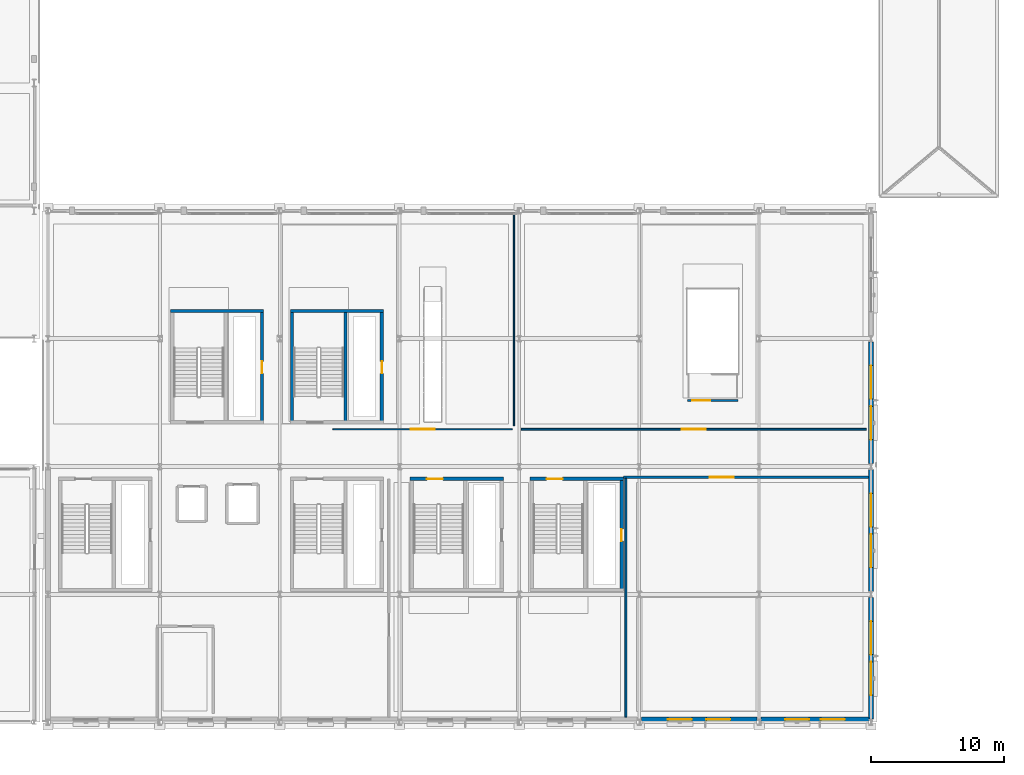
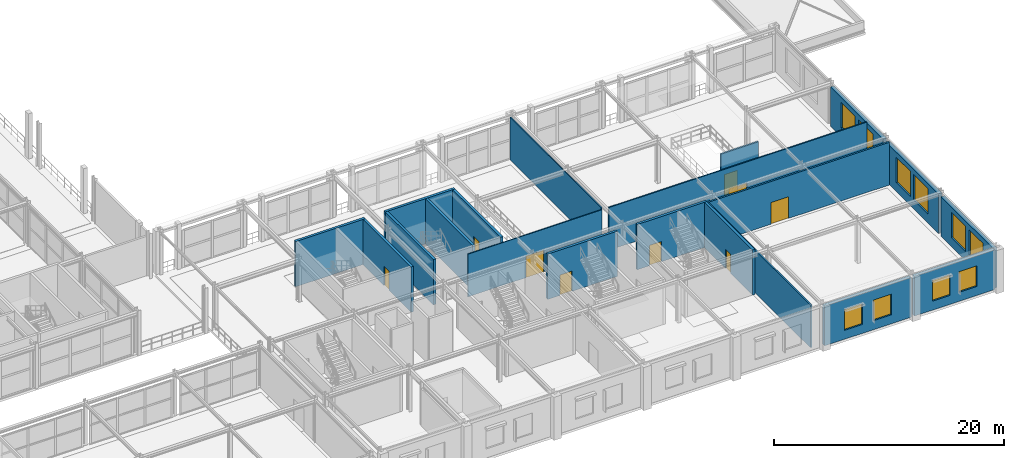
# One storey, part 79 of 125: 20 walls, 10 windows, 9 doors, 19 openings.
"""IFC4 building model written with IfcOpenShell, lengths in metres."""

import ifcopenshell
import ifcopenshell.guid

model = None  # the IFC model being written
_history = None  # IfcOwnerHistory: only IFC2X3 demands one
_inside = {}  # id of a spatial element -> (the spatial element, [elements in it])
_under = {}  # id of a project, library or spatial element -> (it, [spatial elements below it])
_declared = {}  # id of a project -> (the project, [libraries it declares])
_typed = {}  # id of a type object -> (the type object, [elements of that type])
_made_of = {}  # id of a material, layer set ... -> (it, [elements and type objects made of it])


def new_model(schema):
    """Start an empty IFC model of exactly this schema.

    Asked for "IFC4X3", IfcOpenShell would pick the latest addendum, in which some entities
    have other attributes; the version numbers below select the first issue.
    IFC2X3 requires an IfcOwnerHistory on every rooted entity: one is made here for all.
    """
    global model, _history
    if schema == "IFC4X3":
        model = ifcopenshell.file(schema_version=(4, 3, 0, 0))
    else:
        model = ifcopenshell.file(schema=schema)
    _inside.clear()
    _under.clear()
    _declared.clear()
    _typed.clear()
    _made_of.clear()
    _history = None
    if model.schema == "IFC2X3":
        org = make("IfcOrganization", Name="unknown")
        user = make(
            "IfcPersonAndOrganization",
            ThePerson=make("IfcPerson", FamilyName="unknown"),
            TheOrganization=org,
        )
        app = make(
            "IfcApplication",
            ApplicationDeveloper=org,
            Version="unknown",
            ApplicationFullName="unknown",
            ApplicationIdentifier="unknown",
        )
        _history = make(
            "IfcOwnerHistory",
            OwningUser=user,
            OwningApplication=app,
            ChangeAction="ADDED",
            CreationDate=0,
        )
    return model


def make(cls, **values):
    """One entity of the class cls with the attributes given. An attribute that is None is left unset."""
    return model.create_entity(
        cls, **{name: value for name, value in values.items() if value is not None}
    )


def rooted(cls, **values):
    """An entity with a GlobalId (a new one), such as an element, a storey or a relation."""
    return make(cls, GlobalId=ifcopenshell.guid.new(), OwnerHistory=_history, **values)


def si_unit(unit_type, name, prefix=None):
    """IfcSIUnit, for example si_unit("LENGTHUNIT", "METRE", prefix="MILLI")."""
    return make("IfcSIUnit", UnitType=unit_type, Prefix=prefix, Name=name)


def assignment(units):
    """IfcUnitAssignment: the units of a project."""
    return None if units is None else make("IfcUnitAssignment", Units=units)


def point(xyz):
    """IfcCartesianPoint."""
    return None if xyz is None else make("IfcCartesianPoint", Coordinates=xyz)


def direction(xyz):
    """IfcDirection."""
    return None if xyz is None else make("IfcDirection", DirectionRatios=xyz)


def frame(location, z_axis=None, x_axis=None):
    """IfcAxis2Placement3D, a coordinate frame: its origin and axes. An axis left out is left unset."""
    return make(
        "IfcAxis2Placement3D",
        Location=point(location),
        Axis=direction(z_axis),
        RefDirection=direction(x_axis),
    )


def frame_2d(location, x_axis=None):
    """IfcAxis2Placement2D, a coordinate frame in the plane: its origin and x axis."""
    return make(
        "IfcAxis2Placement2D", Location=point(location), RefDirection=direction(x_axis)
    )


def origin():
    """The frame at (0, 0, 0) with its axes left unset."""
    return frame((0.0, 0.0, 0.0))


def place(relative_to, where):
    """IfcLocalPlacement: puts the frame where relative to a parent placement (None: the world)."""
    return make(
        "IfcLocalPlacement", PlacementRelTo=relative_to, RelativePlacement=where
    )


def context(
    kind, dimensions, precision=None, world=None, true_north=None, identifier=None
):
    """IfcGeometricRepresentationContext, for example the 3D "Model" context."""
    return make(
        "IfcGeometricRepresentationContext",
        ContextIdentifier=identifier,
        ContextType=kind,
        CoordinateSpaceDimension=dimensions,
        Precision=precision,
        WorldCoordinateSystem=world,
        TrueNorth=true_north,
    )


def subcontext(parent, identifier, kind, view, scale=None):
    """IfcGeometricRepresentationSubContext, for example "Body" below "Model"."""
    return make(
        "IfcGeometricRepresentationSubContext",
        ContextIdentifier=identifier,
        ContextType=kind,
        ParentContext=parent,
        TargetScale=scale,
        TargetView=view,
    )


def project(units=None, contexts=None):
    """IfcProject with its units and contexts."""
    return rooted(
        "IfcProject",
        Name="project",
        RepresentationContexts=contexts,
        UnitsInContext=assignment(units),
    )


def spatial(cls, under=None, at=None, **own):
    """A site, building, storey or space (cls), placed at a placement, below another one or the project."""
    s = rooted(cls, ObjectPlacement=at, **own)
    if under is not None:
        _under.setdefault(under.id(), (under, []))[1].append(s)
    return s


def profile(cls, at=None, kind="AREA", **sizes):
    """A parametric profile (cls). Its sizes go by their IFC names, for example OverallWidth=200.0."""
    return make(cls, ProfileType=kind, Position=at, **sizes)


def rectangle(**sizes):
    """IfcRectangleProfileDef."""
    return profile("IfcRectangleProfileDef", **sizes)


def extrude(swept, where, along, depth):
    """IfcExtrudedAreaSolid: the profile swept, set in the frame where, extruded along a direction by depth."""
    return make(
        "IfcExtrudedAreaSolid",
        SweptArea=swept,
        Position=where,
        ExtrudedDirection=direction(along),
        Depth=depth,
    )


def shape(context_of_items, identifier, shape_type, items):
    """IfcShapeRepresentation: the items that make up one representation, for example the "Body"."""
    return make(
        "IfcShapeRepresentation",
        ContextOfItems=context_of_items,
        RepresentationIdentifier=identifier,
        RepresentationType=shape_type,
        Items=items,
    )


def material(Name=None, Category=None):
    """IfcMaterial."""
    return make("IfcMaterial", Name=Name, Category=Category)


def layer(
    of_material, thickness, ventilated=None, Name=None, Category=None, Priority=None
):
    """IfcMaterialLayer: one layer of a wall or slab, of a material (None: an air gap)."""
    return make(
        "IfcMaterialLayer",
        Material=of_material,
        LayerThickness=thickness,
        IsVentilated=ventilated,
        Name=Name,
        Category=Category,
        Priority=Priority,
    )


def layer_set(layers, Name=None):
    """IfcMaterialLayerSet."""
    return make("IfcMaterialLayerSet", MaterialLayers=layers, LayerSetName=Name)


def made_of(thing, what):
    """Note that an element or type object is made of a material, layer set ...; save() writes the relation."""
    if what is not None:
        _made_of.setdefault(what.id(), (what, []))[1].append(thing)
    return thing


def type_object(cls, material=None, **own):
    """A type object (cls), such as IfcWallType, which elements share."""
    return made_of(rooted(cls, **own), material)


def element(
    cls,
    number,
    at=None,
    inside=None,
    cuts=None,
    type_object=None,
    material=None,
    context=None,
    identifier="Body",
    shape_type=None,
    held_by="IfcProductDefinitionShape",
    body=None,
    shapes=None,
    **own,
):
    """One element of the class cls, such as IfcWall. Its Tag is "e" and its number.

    at: its placement. inside: the storey or other place that contains it. cuts: it is an
    opening in that element (IfcRelVoidsElement). A single representation is given by context,
    identifier, shape_type and body (its items); several are given by shapes. held_by: the class
    of the entity that holds the representations. save() writes the other relations.
    """
    e = rooted(cls, Tag="e%d" % number, ObjectPlacement=at, **own)
    if body is not None:
        shapes = [shape(context, identifier, shape_type, body)]
    if shapes is not None:
        e.Representation = make(held_by, Representations=shapes)
    if inside is not None:
        _inside.setdefault(inside.id(), (inside, []))[1].append(e)
    if cuts is not None:
        rooted(
            "IfcRelVoidsElement", RelatingBuildingElement=cuts, RelatedOpeningElement=e
        )
    if type_object is not None:
        _typed.setdefault(type_object.id(), (type_object, []))[1].append(e)
    return made_of(e, material)


def fill(opening, filler):
    """IfcRelFillsElement: the door or window that sits in an opening."""
    return rooted(
        "IfcRelFillsElement",
        RelatingOpeningElement=opening,
        RelatedBuildingElement=filler,
    )


def aggregate(whole, parts):
    """IfcRelAggregates: a whole, such as a stair, and the parts it consists of."""
    return rooted("IfcRelAggregates", RelatingObject=whole, RelatedObjects=parts)


def save(model, path):
    """Write the relations noted so far, then the file.

    IfcRelAggregates (storeys below a building ...), IfcRelContainedInSpatialStructure (elements
    in a storey), IfcRelDefinesByType, IfcRelAssociatesMaterial and IfcRelDeclares: one each for
    every whole, place, type object, material and project.
    """
    for whole, parts in _under.values():
        aggregate(whole, parts)
    for where, things in _inside.values():
        rooted(
            "IfcRelContainedInSpatialStructure",
            RelatedElements=things,
            RelatingStructure=where,
        )
    for kind, things in _typed.values():
        rooted("IfcRelDefinesByType", RelatedObjects=things, RelatingType=kind)
    for what, things in _made_of.values():
        rooted("IfcRelAssociatesMaterial", RelatedObjects=things, RelatingMaterial=what)
    for by, libraries in _declared.values():
        rooted("IfcRelDeclares", RelatingContext=by, RelatedDefinitions=libraries)
    model.write(path)


model = new_model("IFC4")

# Units and contexts
model_context = context("Model", 3, precision=1e-05, world=origin(), true_north=direction((0.0, 1.0)))
body_context = subcontext(model_context, "Body", "Model", "MODEL_VIEW")
ifc_project = project(units=[si_unit("LENGTHUNIT", "METRE"), si_unit("AREAUNIT", "SQUARE_METRE"), si_unit("VOLUMEUNIT", "CUBIC_METRE"), si_unit("PLANEANGLEUNIT", "RADIAN"), si_unit("MASSUNIT", "GRAM", prefix="KILO")], contexts=[model_context])

# Site, building, storey
site_placement = place(None, origin())
site = spatial("IfcSite", under=ifc_project, at=site_placement, CompositionType="ELEMENT")
building_placement = place(site_placement, origin())
building = spatial("IfcBuilding", under=site, at=building_placement, Name="Myrtia Square Station", CompositionType="ELEMENT")
storey_placement = place(building_placement, frame((0.0, 0.0, 6.0)))
storey = spatial("IfcBuildingStorey", under=building, at=storey_placement, Name="L01", CompositionType="ELEMENT", Elevation=6.0)

# Walls
ifc_material_1 = material(Name="Concrete C35/45", Category="concrete")
ifc_layer_1 = layer(ifc_material_1, 0.25, Name="Concrete C35/45")
ifc_layer_set_1 = layer_set([ifc_layer_1], Name="Concrete C35/45")
wall_type_1 = type_object("IfcWallType", Name="WL-CORE-250", PredefinedType="SHEAR", material=ifc_layer_set_1)
wall_1_placement = place(storey_placement, frame((135.800048828125, 30.875, 0.0), z_axis=(0.0, 0.0, 1.0), x_axis=(1.0, 0.0, 0.0)))
element("IfcWall", 1, at=wall_1_placement, inside=storey, type_object=wall_type_1, Name="Core K9 shear wall L01 N", PredefinedType="SHEAR", context=body_context, shape_type="SweptSolid", body=[
    extrude(rectangle(XDim=7.0, YDim=0.25, at=frame_2d((3.5, 0.0))), origin(), (0.0, 0.0, 1.0), 4.800048828125),
])
wall_2_placement = place(storey_placement, frame((135.925048828125, 22.39990234375, 0.0), z_axis=(0.0, 0.0, 1.0), x_axis=(0.0, 1.0, 0.0)))
element("IfcWall", 2, at=wall_2_placement, inside=storey, type_object=wall_type_1, Name="Core K9 shear wall L01 W", PredefinedType="SHEAR", context=body_context, shape_type="SweptSolid", body=[
    extrude(rectangle(XDim=8.60009765625, YDim=0.25, at=frame_2d((4.300048828125, 0.0))), origin(), (0.0, 0.0, 1.0), 4.800048828125),
])

# Wall, opening, door
wall_3_placement = place(storey_placement, frame((142.675048828125, 22.39990234375, 0.0), z_axis=(0.0, 0.0, 1.0), x_axis=(0.0, 1.0, 0.0)))
wall_3 = element("IfcWall", 3, at=wall_3_placement, inside=storey, type_object=wall_type_1, Name="Core K9 shear wall L01 E", PredefinedType="SHEAR", context=body_context, shape_type="SweptSolid", body=[
    extrude(rectangle(XDim=8.60009765625, YDim=0.25, at=frame_2d((4.300048828125, 0.0))), origin(), (0.0, 0.0, 1.0), 4.800048828125),
])
opening_1_placement = place(wall_3_placement, frame((3.800048828125, 0.0, 0.0)))
opening_1 = element("IfcOpeningElement", 4, at=opening_1_placement, cuts=wall_3, Name="Opening RD-076", PredefinedType="OPENING", context=body_context, shape_type="SweptSolid", body=[
    extrude(rectangle(XDim=0.89990234375, YDim=2.050048828125, at=frame_2d((0.449951171875, 1.02490234375))), frame((0.0, 0.139892578125, 0.0), z_axis=(0.0, -1.0, 0.0), x_axis=(1.0, 0.0, 0.0)), (0.0, 0.0, 1.0), 0.280029296875),
])
ifc_material_2 = material(Name="Dark bronze anodised aluminium", Category="aluminium")
door_type_1 = type_object("IfcDoorType", Name="DR-RISER-900x2050", OperationType="NOTDEFINED", PredefinedType="DOOR", material=ifc_material_2)
door_1_placement = place(opening_1_placement, origin())
door_1 = element("IfcDoor", 5, at=door_1_placement, inside=storey, type_object=door_type_1, Name="Riser cupboard access door K9 L01", OperationType="SINGLE_SWING_RIGHT", OverallHeight=2.050048828125, OverallWidth=0.89990234375, PredefinedType="DOOR", context=body_context, shape_type="SweptSolid", body=[
    extrude(rectangle(XDim=0.89990234375, YDim=2.050048828125, at=frame_2d((0.449951171875, 1.02490234375))), frame((0.0, 0.02490234375, 0.0), z_axis=(0.0, -1.0, 0.0), x_axis=(1.0, 0.0, 0.0)), (0.0, 0.0, 1.0), 0.050048828125),
])
fill(opening_1, door_1)

# Walls
wall_4_placement = place(storey_placement, frame((139.93994140625, 22.60009765625, 0.0), z_axis=(0.0, 0.0, 1.0), x_axis=(0.0, 1.0, 0.0)))
element("IfcWall", 6, at=wall_4_placement, inside=storey, type_object=wall_type_1, Name="Core K9 shear wall L01 D", PredefinedType="SHEAR", context=body_context, shape_type="SweptSolid", body=[
    extrude(rectangle(XDim=8.199951171875, YDim=0.25, at=frame_2d((4.10009765625, 0.0))), origin(), (0.0, 0.0, 1.0), 4.800048828125),
])
wall_5_placement = place(storey_placement, frame((126.800048828125, 30.875, 0.0), z_axis=(0.0, 0.0, 1.0), x_axis=(1.0, 0.0, 0.0)))
element("IfcWall", 7, at=wall_5_placement, inside=storey, type_object=wall_type_1, Name="Core K10 shear wall L01 N", PredefinedType="SHEAR", context=body_context, shape_type="SweptSolid", body=[
    extrude(rectangle(XDim=7.0, YDim=0.25, at=frame_2d((3.5, 0.0))), origin(), (0.0, 0.0, 1.0), 4.800048828125),
])

# Wall, opening, door
wall_6_placement = place(storey_placement, frame((133.675048828125, 22.39990234375, 0.0), z_axis=(0.0, 0.0, 1.0), x_axis=(0.0, 1.0, 0.0)))
wall_6 = element("IfcWall", 8, at=wall_6_placement, inside=storey, type_object=wall_type_1, Name="Core K10 shear wall L01 E", PredefinedType="SHEAR", context=body_context, shape_type="SweptSolid", body=[
    extrude(rectangle(XDim=8.60009765625, YDim=0.25, at=frame_2d((4.300048828125, 0.0))), origin(), (0.0, 0.0, 1.0), 4.800048828125),
])
opening_2_placement = place(wall_6_placement, frame((3.800048828125, 0.0, 0.0)))
opening_2 = element("IfcOpeningElement", 9, at=opening_2_placement, cuts=wall_6, Name="Opening RD-086", PredefinedType="OPENING", context=body_context, shape_type="SweptSolid", body=[
    extrude(rectangle(XDim=0.89990234375, YDim=2.050048828125, at=frame_2d((0.449951171875, 1.02490234375))), frame((0.0, 0.139892578125, 0.0), z_axis=(0.0, -1.0, 0.0), x_axis=(1.0, 0.0, 0.0)), (0.0, 0.0, 1.0), 0.280029296875),
])
door_2_placement = place(opening_2_placement, origin())
door_2 = element("IfcDoor", 10, at=door_2_placement, inside=storey, type_object=door_type_1, Name="Riser cupboard access door K10 L01", OperationType="SINGLE_SWING_RIGHT", OverallHeight=2.050048828125, OverallWidth=0.89990234375, PredefinedType="DOOR", context=body_context, shape_type="SweptSolid", body=[
    extrude(rectangle(XDim=0.89990234375, YDim=2.050048828125, at=frame_2d((0.449951171875, 1.02490234375))), frame((0.0, 0.02490234375, 0.0), z_axis=(0.0, -1.0, 0.0), x_axis=(1.0, 0.0, 0.0)), (0.0, 0.0, 1.0), 0.050048828125),
])
fill(opening_2, door_2)

wall_7_placement = place(storey_placement, frame((144.800048828125, 18.27490234375, 0.0), z_axis=(0.0, 0.0, 1.0), x_axis=(1.0, 0.0, 0.0)))
wall_7 = element("IfcWall", 11, at=wall_7_placement, inside=storey, type_object=wall_type_1, Name="Core K11 shear wall L01 N", PredefinedType="SHEAR", context=body_context, shape_type="SweptSolid", body=[
    extrude(rectangle(XDim=7.0, YDim=0.25, at=frame_2d((3.5, 0.0))), origin(), (0.0, 0.0, 1.0), 4.800048828125),
])
opening_3_placement = place(wall_7_placement, frame((1.25, 0.0, 0.0)))
opening_3 = element("IfcOpeningElement", 12, at=opening_3_placement, cuts=wall_7, Name="Opening SD-095", PredefinedType="OPENING", context=body_context, shape_type="SweptSolid", body=[
    extrude(rectangle(XDim=1.199951171875, YDim=2.14990234375, at=frame_2d((0.60009765625, 1.074951171875))), frame((0.0, 0.139892578125, 0.0), z_axis=(0.0, -1.0, 0.0), x_axis=(1.0, 0.0, 0.0)), (0.0, 0.0, 1.0), 0.280029296875),
])
door_type_2 = type_object("IfcDoorType", Name="DR-STAIR-1200x2150", OperationType="NOTDEFINED", PredefinedType="DOOR", material=ifc_material_2)
door_3_placement = place(opening_3_placement, frame((1.199951171875, 0.0, 0.0), z_axis=(0.0, 0.0, 1.0), x_axis=(-1.0, 0.0, 0.0)))
door_3 = element("IfcDoor", 13, at=door_3_placement, inside=storey, type_object=door_type_2, Name="Protected stair fire door K11 L01", OperationType="SINGLE_SWING_LEFT", OverallHeight=2.14990234375, OverallWidth=1.199951171875, PredefinedType="DOOR", context=body_context, shape_type="SweptSolid", body=[
    extrude(rectangle(XDim=1.199951171875, YDim=2.14990234375, at=frame_2d((0.60009765625, 1.074951171875))), frame((0.0, 0.02490234375, 0.0), z_axis=(0.0, -1.0, 0.0), x_axis=(1.0, 0.0, 0.0)), (0.0, 0.0, 1.0), 0.050048828125),
])
fill(opening_3, door_3)

wall_8_placement = place(storey_placement, frame((153.800048828125, 18.27490234375, 0.0), z_axis=(0.0, 0.0, 1.0), x_axis=(1.0, 0.0, 0.0)))
wall_8 = element("IfcWall", 14, at=wall_8_placement, inside=storey, type_object=wall_type_1, Name="Core K14 shear wall L01 N", PredefinedType="SHEAR", context=body_context, shape_type="SweptSolid", body=[
    extrude(rectangle(XDim=7.0, YDim=0.25, at=frame_2d((3.5, 0.0))), origin(), (0.0, 0.0, 1.0), 4.800048828125),
])
opening_4_placement = place(wall_8_placement, frame((1.25, 0.0, 0.0)))
opening_4 = element("IfcOpeningElement", 15, at=opening_4_placement, cuts=wall_8, Name="Opening SD-103", PredefinedType="OPENING", context=body_context, shape_type="SweptSolid", body=[
    extrude(rectangle(XDim=1.199951171875, YDim=2.14990234375, at=frame_2d((0.60009765625, 1.074951171875))), frame((0.0, 0.139892578125, 0.0), z_axis=(0.0, -1.0, 0.0), x_axis=(1.0, 0.0, 0.0)), (0.0, 0.0, 1.0), 0.280029296875),
])
door_4_placement = place(opening_4_placement, frame((1.199951171875, 0.0, 0.0), z_axis=(0.0, 0.0, 1.0), x_axis=(-1.0, 0.0, 0.0)))
door_4 = element("IfcDoor", 16, at=door_4_placement, inside=storey, type_object=door_type_2, Name="Protected stair fire door K14 L01", OperationType="SINGLE_SWING_LEFT", OverallHeight=2.14990234375, OverallWidth=1.199951171875, PredefinedType="DOOR", context=body_context, shape_type="SweptSolid", body=[
    extrude(rectangle(XDim=1.199951171875, YDim=2.14990234375, at=frame_2d((0.60009765625, 1.074951171875))), frame((0.0, 0.02490234375, 0.0), z_axis=(0.0, -1.0, 0.0), x_axis=(1.0, 0.0, 0.0)), (0.0, 0.0, 1.0), 0.050048828125),
])
fill(opening_4, door_4)

wall_9_placement = place(storey_placement, frame((160.675048828125, 9.800048828125, 0.0), z_axis=(0.0, 0.0, 1.0), x_axis=(0.0, 1.0, 0.0)))
wall_9 = element("IfcWall", 17, at=wall_9_placement, inside=storey, type_object=wall_type_1, Name="Core K14 shear wall L01 E", PredefinedType="SHEAR", context=body_context, shape_type="SweptSolid", body=[
    extrude(rectangle(XDim=8.599853515625, YDim=0.25, at=frame_2d((4.2998046875, 0.0))), origin(), (0.0, 0.0, 1.0), 4.800048828125),
])
opening_5_placement = place(wall_9_placement, frame((3.800048828125, 0.0, 0.0)))
opening_5 = element("IfcOpeningElement", 18, at=opening_5_placement, cuts=wall_9, Name="Opening RD-104", PredefinedType="OPENING", context=body_context, shape_type="SweptSolid", body=[
    extrude(rectangle(XDim=0.89990234375, YDim=2.050048828125, at=frame_2d((0.449951171875, 1.02490234375))), frame((0.0, 0.139892578125, 0.0), z_axis=(0.0, -1.0, 0.0), x_axis=(1.0, 0.0, 0.0)), (0.0, 0.0, 1.0), 0.280029296875),
])
door_5_placement = place(opening_5_placement, origin())
door_5 = element("IfcDoor", 19, at=door_5_placement, inside=storey, type_object=door_type_1, Name="Riser cupboard access door K14 L01", OperationType="SINGLE_SWING_RIGHT", OverallHeight=2.050048828125, OverallWidth=0.89990234375, PredefinedType="DOOR", context=body_context, shape_type="SweptSolid", body=[
    extrude(rectangle(XDim=0.89990234375, YDim=2.050048828125, at=frame_2d((0.449951171875, 1.02490234375))), frame((0.0, 0.02490234375, 0.0), z_axis=(0.0, -1.0, 0.0), x_axis=(1.0, 0.0, 0.0)), (0.0, 0.0, 1.0), 0.050048828125),
])
fill(opening_5, door_5)

# Wall, openings, windows
ifc_material_3 = material(Name="Cream lime stucco on clay brick masonry", Category="masonry")
ifc_layer_2 = layer(ifc_material_3, 0.360107421875, Name="Cream lime stucco on clay brick masonry")
ifc_layer_set_2 = layer_set([ifc_layer_2], Name="Cream lime stucco on clay brick masonry")
wall_type_2 = type_object("IfcWallType", Name="WL-EXT-STUCCO-360", PredefinedType="SOLIDWALL", material=ifc_layer_set_2)
wall_10_placement = place(storey_placement, frame((162.155029296875, 0.199951171875, 0.0), z_axis=(0.0, 0.0, 1.0), x_axis=(1.0, 0.0, 0.0)))
wall_10 = element("IfcWall", 20, at=wall_10_placement, inside=storey, type_object=wall_type_2, Name="Exterior envelope wall EW-L01-0052", PredefinedType="SOLIDWALL", context=body_context, shape_type="SweptSolid", body=[
    extrude(rectangle(XDim=8.68994140625, YDim=0.360107421875, at=frame_2d((4.344970703125, 0.0))), origin(), (0.0, 0.0, 1.0), 4.215087890625),
])
opening_6_placement = place(wall_10_placement, frame((1.9970703125, 0.0, 0.949951171875)))
opening_6 = element("IfcOpeningElement", 21, at=opening_6_placement, cuts=wall_10, Name="Opening WN-045", PredefinedType="OPENING", context=body_context, shape_type="SweptSolid", body=[
    extrude(rectangle(XDim=1.800048828125, YDim=2.199951171875, at=frame_2d((0.89990234375, 1.10009765625))), frame((0.0, 0.195068359375, 0.0), z_axis=(0.0, -1.0, 0.0), x_axis=(1.0, 0.0, 0.0)), (0.0, 0.0, 1.0), 0.39013671875),
])
opening_7_placement = place(wall_10_placement, frame((4.89306640625, 0.0, 0.949951171875)))
opening_7 = element("IfcOpeningElement", 22, at=opening_7_placement, cuts=wall_10, Name="Opening WN-046", PredefinedType="OPENING", context=body_context, shape_type="SweptSolid", body=[
    extrude(rectangle(XDim=1.800048828125, YDim=2.199951171875, at=frame_2d((0.89990234375, 1.10009765625))), frame((0.0, 0.195068359375, 0.0), z_axis=(0.0, -1.0, 0.0), x_axis=(1.0, 0.0, 0.0)), (0.0, 0.0, 1.0), 0.39013671875),
])
ifc_material_4 = material(Name="Tinted low-E solar control glass", Category="glass")
window_type_1 = type_object("IfcWindowType", Name="WN-PAIR-1800x2200", PartitioningType="SINGLE_PANEL", PredefinedType="WINDOW", material=ifc_material_4)
window_1_placement = place(opening_6_placement, origin())
window_1 = element("IfcWindow", 23, at=window_1_placement, inside=storey, type_object=window_type_1, Name="Window WN-045", OverallHeight=2.199951171875, OverallWidth=1.800048828125, PartitioningType="SINGLE_PANEL", PredefinedType="WINDOW", context=body_context, shape_type="SweptSolid", body=[
    extrude(rectangle(XDim=1.800048828125, YDim=2.199951171875, at=frame_2d((0.89990234375, 1.10009765625))), frame((0.0, 0.030029296875, 0.0), z_axis=(0.0, -1.0, 0.0), x_axis=(1.0, 0.0, 0.0)), (0.0, 0.0, 1.0), 0.06005859375),
])
fill(opening_6, window_1)
window_2_placement = place(opening_7_placement, origin())
window_2 = element("IfcWindow", 24, at=window_2_placement, inside=storey, type_object=window_type_1, Name="Window WN-046", OverallHeight=2.199951171875, OverallWidth=1.800048828125, PartitioningType="SINGLE_PANEL", PredefinedType="WINDOW", context=body_context, shape_type="SweptSolid", body=[
    extrude(rectangle(XDim=1.800048828125, YDim=2.199951171875, at=frame_2d((0.89990234375, 1.10009765625))), frame((0.0, 0.030029296875, 0.0), z_axis=(0.0, -1.0, 0.0), x_axis=(1.0, 0.0, 0.0)), (0.0, 0.0, 1.0), 0.06005859375),
])
fill(opening_7, window_2)

wall_11_placement = place(storey_placement, frame((171.155029296875, 0.199951171875, 0.0), z_axis=(0.0, 0.0, 1.0), x_axis=(1.0, 0.0, 0.0)))
wall_11 = element("IfcWall", 25, at=wall_11_placement, inside=storey, type_object=wall_type_2, Name="Exterior envelope wall EW-L01-0053", PredefinedType="SOLIDWALL", context=body_context, shape_type="SweptSolid", body=[
    extrude(rectangle(XDim=8.090087890625, YDim=0.360107421875, at=frame_2d((4.044921875, 0.0))), origin(), (0.0, 0.0, 1.0), 4.215087890625),
])
opening_8_placement = place(wall_11_placement, frame((1.797119140625, 0.0, 0.949951171875)))
opening_8 = element("IfcOpeningElement", 26, at=opening_8_placement, cuts=wall_11, Name="Opening WN-047", PredefinedType="OPENING", context=body_context, shape_type="SweptSolid", body=[
    extrude(rectangle(XDim=1.800048828125, YDim=2.199951171875, at=frame_2d((0.89990234375, 1.10009765625))), frame((0.0, 0.195068359375, 0.0), z_axis=(0.0, -1.0, 0.0), x_axis=(1.0, 0.0, 0.0)), (0.0, 0.0, 1.0), 0.39013671875),
])
opening_9_placement = place(wall_11_placement, frame((4.492919921875, 0.0, 0.949951171875)))
opening_9 = element("IfcOpeningElement", 27, at=opening_9_placement, cuts=wall_11, Name="Opening WN-048", PredefinedType="OPENING", context=body_context, shape_type="SweptSolid", body=[
    extrude(rectangle(XDim=1.800048828125, YDim=2.199951171875, at=frame_2d((0.89990234375, 1.10009765625))), frame((0.0, 0.195068359375, 0.0), z_axis=(0.0, -1.0, 0.0), x_axis=(1.0, 0.0, 0.0)), (0.0, 0.0, 1.0), 0.39013671875),
])
window_3_placement = place(opening_8_placement, origin())
window_3 = element("IfcWindow", 28, at=window_3_placement, inside=storey, type_object=window_type_1, Name="Window WN-047", OverallHeight=2.199951171875, OverallWidth=1.800048828125, PartitioningType="SINGLE_PANEL", PredefinedType="WINDOW", context=body_context, shape_type="SweptSolid", body=[
    extrude(rectangle(XDim=1.800048828125, YDim=2.199951171875, at=frame_2d((0.89990234375, 1.10009765625))), frame((0.0, 0.030029296875, 0.0), z_axis=(0.0, -1.0, 0.0), x_axis=(1.0, 0.0, 0.0)), (0.0, 0.0, 1.0), 0.06005859375),
])
fill(opening_8, window_3)
window_4_placement = place(opening_9_placement, origin())
window_4 = element("IfcWindow", 29, at=window_4_placement, inside=storey, type_object=window_type_1, Name="Window WN-048", OverallHeight=2.199951171875, OverallWidth=1.800048828125, PartitioningType="SINGLE_PANEL", PredefinedType="WINDOW", context=body_context, shape_type="SweptSolid", body=[
    extrude(rectangle(XDim=1.800048828125, YDim=2.199951171875, at=frame_2d((0.89990234375, 1.10009765625))), frame((0.0, 0.030029296875, 0.0), z_axis=(0.0, -1.0, 0.0), x_axis=(1.0, 0.0, 0.0)), (0.0, 0.0, 1.0), 0.06005859375),
])
fill(opening_9, window_4)

wall_12_placement = place(storey_placement, frame((179.39990234375, 0.22998046875, 0.0), z_axis=(0.0, 0.0, 1.0), x_axis=(0.0, 1.0, 0.0)))
wall_12 = element("IfcWall", 30, at=wall_12_placement, inside=storey, type_object=wall_type_2, Name="Exterior envelope wall EW-L01-0063", PredefinedType="SOLIDWALL", context=body_context, shape_type="SweptSolid", body=[
    extrude(rectangle(XDim=9.14013671875, YDim=0.360107421875, at=frame_2d((4.570068359375, 0.0))), origin(), (0.0, 0.0, 1.0), 4.18505859375),
])
opening_10_placement = place(wall_12_placement, frame((1.797119140625, 0.0, 0.949951171875)))
opening_10 = element("IfcOpeningElement", 31, at=opening_10_placement, cuts=wall_12, Name="Opening WN-065", PredefinedType="OPENING", context=body_context, shape_type="SweptSolid", body=[
    extrude(rectangle(XDim=2.5, YDim=2.699951171875, at=frame_2d((1.25, 1.35009765625))), frame((0.0, 0.195068359375, 0.0), z_axis=(0.0, -1.0, 0.0), x_axis=(1.0, 0.0, 0.0)), (0.0, 0.0, 1.0), 0.39013671875),
])
opening_11_placement = place(wall_12_placement, frame((4.843017578125, 0.0, 0.949951171875)))
opening_11 = element("IfcOpeningElement", 32, at=opening_11_placement, cuts=wall_12, Name="Opening WN-066", PredefinedType="OPENING", context=body_context, shape_type="SweptSolid", body=[
    extrude(rectangle(XDim=2.5, YDim=2.699951171875, at=frame_2d((1.25, 1.35009765625))), frame((0.0, 0.195068359375, 0.0), z_axis=(0.0, -1.0, 0.0), x_axis=(1.0, 0.0, 0.0)), (0.0, 0.0, 1.0), 0.39013671875),
])
window_type_2 = type_object("IfcWindowType", Name="WN-RET-2500x2700", PartitioningType="SINGLE_PANEL", PredefinedType="WINDOW", material=ifc_material_4)
window_5_placement = place(opening_10_placement, origin())
window_5 = element("IfcWindow", 33, at=window_5_placement, inside=storey, type_object=window_type_2, Name="Window WN-065", OverallHeight=2.699951171875, OverallWidth=2.5, PartitioningType="SINGLE_PANEL", PredefinedType="WINDOW", context=body_context, shape_type="SweptSolid", body=[
    extrude(rectangle(XDim=2.5, YDim=2.699951171875, at=frame_2d((1.25, 1.35009765625))), frame((0.0, 0.030029296875, 0.0), z_axis=(0.0, -1.0, 0.0), x_axis=(1.0, 0.0, 0.0)), (0.0, 0.0, 1.0), 0.06005859375),
])
fill(opening_10, window_5)
window_6_placement = place(opening_11_placement, origin())
window_6 = element("IfcWindow", 34, at=window_6_placement, inside=storey, type_object=window_type_2, Name="Window WN-066", OverallHeight=2.699951171875, OverallWidth=2.5, PartitioningType="SINGLE_PANEL", PredefinedType="WINDOW", context=body_context, shape_type="SweptSolid", body=[
    extrude(rectangle(XDim=2.5, YDim=2.699951171875, at=frame_2d((1.25, 1.35009765625))), frame((0.0, 0.030029296875, 0.0), z_axis=(0.0, -1.0, 0.0), x_axis=(1.0, 0.0, 0.0)), (0.0, 0.0, 1.0), 0.06005859375),
])
fill(opening_11, window_6)

wall_13_placement = place(storey_placement, frame((179.39990234375, 9.830078125, 0.0), z_axis=(0.0, 0.0, 1.0), x_axis=(0.0, 1.0, 0.0)))
wall_13 = element("IfcWall", 35, at=wall_13_placement, inside=storey, type_object=wall_type_2, Name="Exterior envelope wall EW-L01-0065", PredefinedType="SOLIDWALL", context=body_context, shape_type="SweptSolid", body=[
    extrude(rectangle(XDim=9.139892578125, YDim=0.360107421875, at=frame_2d((4.56982421875, 0.0))), origin(), (0.0, 0.0, 1.0), 4.18505859375),
])
opening_12_placement = place(wall_13_placement, frame((1.797119140625, 0.0, 0.949951171875)))
opening_12 = element("IfcOpeningElement", 36, at=opening_12_placement, cuts=wall_13, Name="Opening WN-067", PredefinedType="OPENING", context=body_context, shape_type="SweptSolid", body=[
    extrude(rectangle(XDim=2.5, YDim=2.699951171875, at=frame_2d((1.25, 1.35009765625))), frame((0.0, 0.195068359375, 0.0), z_axis=(0.0, -1.0, 0.0), x_axis=(1.0, 0.0, 0.0)), (0.0, 0.0, 1.0), 0.39013671875),
])
opening_13_placement = place(wall_13_placement, frame((4.843017578125, 0.0, 0.949951171875)))
opening_13 = element("IfcOpeningElement", 37, at=opening_13_placement, cuts=wall_13, Name="Opening WN-068", PredefinedType="OPENING", context=body_context, shape_type="SweptSolid", body=[
    extrude(rectangle(XDim=2.5, YDim=2.699951171875, at=frame_2d((1.25, 1.35009765625))), frame((0.0, 0.195068359375, 0.0), z_axis=(0.0, -1.0, 0.0), x_axis=(1.0, 0.0, 0.0)), (0.0, 0.0, 1.0), 0.39013671875),
])
window_7_placement = place(opening_12_placement, origin())
window_7 = element("IfcWindow", 38, at=window_7_placement, inside=storey, type_object=window_type_2, Name="Window WN-067", OverallHeight=2.699951171875, OverallWidth=2.5, PartitioningType="SINGLE_PANEL", PredefinedType="WINDOW", context=body_context, shape_type="SweptSolid", body=[
    extrude(rectangle(XDim=2.5, YDim=2.699951171875, at=frame_2d((1.25, 1.35009765625))), frame((0.0, 0.030029296875, 0.0), z_axis=(0.0, -1.0, 0.0), x_axis=(1.0, 0.0, 0.0)), (0.0, 0.0, 1.0), 0.06005859375),
])
fill(opening_12, window_7)
window_8_placement = place(opening_13_placement, origin())
window_8 = element("IfcWindow", 39, at=window_8_placement, inside=storey, type_object=window_type_2, Name="Window WN-068", OverallHeight=2.699951171875, OverallWidth=2.5, PartitioningType="SINGLE_PANEL", PredefinedType="WINDOW", context=body_context, shape_type="SweptSolid", body=[
    extrude(rectangle(XDim=2.5, YDim=2.699951171875, at=frame_2d((1.25, 1.35009765625))), frame((0.0, 0.030029296875, 0.0), z_axis=(0.0, -1.0, 0.0), x_axis=(1.0, 0.0, 0.0)), (0.0, 0.0, 1.0), 0.06005859375),
])
fill(opening_13, window_8)

wall_14_placement = place(storey_placement, frame((179.39990234375, 19.429931640625, 0.0), z_axis=(0.0, 0.0, 1.0), x_axis=(0.0, 1.0, 0.0)))
wall_14 = element("IfcWall", 40, at=wall_14_placement, inside=storey, type_object=wall_type_2, Name="Exterior envelope wall EW-L01-0067", PredefinedType="SOLIDWALL", context=body_context, shape_type="SweptSolid", body=[
    extrude(rectangle(XDim=9.14013671875, YDim=0.360107421875, at=frame_2d((4.570068359375, 0.0))), origin(), (0.0, 0.0, 1.0), 4.18505859375),
])
opening_14_placement = place(wall_14_placement, frame((1.797119140625, 0.0, 0.949951171875)))
opening_14 = element("IfcOpeningElement", 41, at=opening_14_placement, cuts=wall_14, Name="Opening WN-069", PredefinedType="OPENING", context=body_context, shape_type="SweptSolid", body=[
    extrude(rectangle(XDim=2.5, YDim=2.699951171875, at=frame_2d((1.25, 1.35009765625))), frame((0.0, 0.195068359375, 0.0), z_axis=(0.0, -1.0, 0.0), x_axis=(1.0, 0.0, 0.0)), (0.0, 0.0, 1.0), 0.39013671875),
])
opening_15_placement = place(wall_14_placement, frame((4.843017578125, 0.0, 0.949951171875)))
opening_15 = element("IfcOpeningElement", 42, at=opening_15_placement, cuts=wall_14, Name="Opening WN-070", PredefinedType="OPENING", context=body_context, shape_type="SweptSolid", body=[
    extrude(rectangle(XDim=2.5, YDim=2.699951171875, at=frame_2d((1.25, 1.35009765625))), frame((0.0, 0.195068359375, 0.0), z_axis=(0.0, -1.0, 0.0), x_axis=(1.0, 0.0, 0.0)), (0.0, 0.0, 1.0), 0.39013671875),
])
window_9_placement = place(opening_14_placement, origin())
window_9 = element("IfcWindow", 43, at=window_9_placement, inside=storey, type_object=window_type_2, Name="Window WN-069", OverallHeight=2.699951171875, OverallWidth=2.5, PartitioningType="SINGLE_PANEL", PredefinedType="WINDOW", context=body_context, shape_type="SweptSolid", body=[
    extrude(rectangle(XDim=2.5, YDim=2.699951171875, at=frame_2d((1.25, 1.35009765625))), frame((0.0, 0.030029296875, 0.0), z_axis=(0.0, -1.0, 0.0), x_axis=(1.0, 0.0, 0.0)), (0.0, 0.0, 1.0), 0.06005859375),
])
fill(opening_14, window_9)
window_10_placement = place(opening_15_placement, origin())
window_10 = element("IfcWindow", 44, at=window_10_placement, inside=storey, type_object=window_type_2, Name="Window WN-070", OverallHeight=2.699951171875, OverallWidth=2.5, PartitioningType="SINGLE_PANEL", PredefinedType="WINDOW", context=body_context, shape_type="SweptSolid", body=[
    extrude(rectangle(XDim=2.5, YDim=2.699951171875, at=frame_2d((1.25, 1.35009765625))), frame((0.0, 0.030029296875, 0.0), z_axis=(0.0, -1.0, 0.0), x_axis=(1.0, 0.0, 0.0)), (0.0, 0.0, 1.0), 0.06005859375),
])
fill(opening_15, window_10)

# Wall, opening, door
ifc_material_5 = material(Name="Gypsum plasterboard")
ifc_layer_3 = layer(ifc_material_5, 0.10009765625, Name="Gypsum plasterboard")
ifc_layer_set_3 = layer_set([ifc_layer_3], Name="Gypsum plasterboard")
wall_type_3 = type_object("IfcWallType", Name="WL-PART-100", PredefinedType="PARTITIONING", material=ifc_layer_set_3)
wall_15_placement = place(storey_placement, frame((139.0, 22.0, 0.0), z_axis=(0.0, 0.0, 1.0), x_axis=(1.0, 0.0, 0.0)))
wall_15 = element("IfcWall", 45, at=wall_15_placement, inside=storey, type_object=wall_type_3, Name="Interior partition wall L01-10", PredefinedType="PARTITIONING", context=body_context, shape_type="SweptSolid", body=[
    extrude(rectangle(XDim=13.449951171875, YDim=0.10009765625, at=frame_2d((6.72509765625, 0.0))), origin(), (0.0, 0.0, 1.0), 4.530029296875),
])
opening_16_placement = place(wall_15_placement, frame((5.824951171875, 0.0, 0.0)))
opening_16 = element("IfcOpeningElement", 46, at=opening_16_placement, cuts=wall_15, Name="Opening D-242", PredefinedType="OPENING", context=body_context, shape_type="SweptSolid", body=[
    extrude(rectangle(XDim=1.800048828125, YDim=2.300048828125, at=frame_2d((0.89990234375, 1.14990234375))), frame((0.0, 0.06494140625, 0.0), z_axis=(0.0, -1.0, 0.0), x_axis=(1.0, 0.0, 0.0)), (0.0, 0.0, 1.0), 0.130126953125),
])
door_type_3 = type_object("IfcDoorType", Name="DR-CORR-1800x2300", OperationType="NOTDEFINED", PredefinedType="DOOR", material=ifc_material_2)
door_6_placement = place(opening_16_placement, frame((1.800048828125, 0.0, 0.0), z_axis=(0.0, 0.0, 1.0), x_axis=(-1.0, 0.0, 0.0)))
door_6 = element("IfcDoor", 47, at=door_6_placement, inside=storey, type_object=door_type_3, Name="Concourse Mediterranean Food Hall door D-242", OperationType="DOUBLE_DOOR_SINGLE_SWING", OverallHeight=2.300048828125, OverallWidth=1.800048828125, PredefinedType="DOOR", context=body_context, shape_type="SweptSolid", body=[
    extrude(rectangle(XDim=1.800048828125, YDim=2.300048828125, at=frame_2d((0.89990234375, 1.14990234375))), frame((0.0, 0.02490234375, 0.0), z_axis=(0.0, -1.0, 0.0), x_axis=(1.0, 0.0, 0.0)), (0.0, 0.0, 1.0), 0.050048828125),
])
fill(opening_16, door_6)

# Wall
wall_16_placement = place(storey_placement, frame((152.60009765625, 22.25, 0.0), z_axis=(0.0, 0.0, 1.0), x_axis=(0.0, 1.0, 0.0)))
element("IfcWall", 48, at=wall_16_placement, inside=storey, type_object=wall_type_3, Name="Room divider partition L01-10", PredefinedType="PARTITIONING", context=body_context, shape_type="SweptSolid", body=[
    extrude(rectangle(XDim=15.864990234375, YDim=0.10009765625, at=frame_2d((7.9326171875, 0.0))), origin(), (0.0, 0.0, 1.0), 4.530029296875),
])

# Wall, opening, door
ifc_layer_4 = layer(ifc_material_5, 0.125, Name="Gypsum plasterboard")
ifc_layer_set_4 = layer_set([ifc_layer_4], Name="Gypsum plasterboard")
wall_type_4 = type_object("IfcWallType", Name="WL-PART-125", PredefinedType="PARTITIONING", material=ifc_layer_set_4)
wall_17_placement = place(storey_placement, frame((153.14990234375, 22.0, 0.0), z_axis=(0.0, 0.0, 1.0), x_axis=(1.0, 0.0, 0.0)))
wall_17 = element("IfcWall", 49, at=wall_17_placement, inside=storey, type_object=wall_type_4, Name="Interior partition wall L01-11", PredefinedType="PARTITIONING", context=body_context, shape_type="SweptSolid", body=[
    extrude(rectangle(XDim=25.900146484375, YDim=0.125, at=frame_2d((12.9501953125, 0.0))), origin(), (0.0, 0.0, 1.0), 4.530029296875),
])
opening_17_placement = place(wall_17_placement, frame((12.050048828125, 0.0, 0.0)))
opening_17 = element("IfcOpeningElement", 50, at=opening_17_placement, cuts=wall_17, Name="Opening D-243", PredefinedType="OPENING", context=body_context, shape_type="SweptSolid", body=[
    extrude(rectangle(XDim=1.800048828125, YDim=2.300048828125, at=frame_2d((0.89990234375, 1.14990234375))), frame((0.0, 0.077392578125, 0.0), z_axis=(0.0, -1.0, 0.0), x_axis=(1.0, 0.0, 0.0)), (0.0, 0.0, 1.0), 0.155029296875),
])
door_7_placement = place(opening_17_placement, frame((1.800048828125, 0.0, 0.0), z_axis=(0.0, 0.0, 1.0), x_axis=(-1.0, 0.0, 0.0)))
door_7 = element("IfcDoor", 51, at=door_7_placement, inside=storey, type_object=door_type_3, Name="Artisan Station Bakery and Cafe door D-243", OperationType="DOUBLE_DOOR_SINGLE_SWING", OverallHeight=2.300048828125, OverallWidth=1.800048828125, PredefinedType="DOOR", context=body_context, shape_type="SweptSolid", body=[
    extrude(rectangle(XDim=1.800048828125, YDim=2.300048828125, at=frame_2d((0.89990234375, 1.14990234375))), frame((0.0, 0.02490234375, 0.0), z_axis=(0.0, -1.0, 0.0), x_axis=(1.0, 0.0, 0.0)), (0.0, 0.0, 1.0), 0.050048828125),
])
fill(opening_17, door_7)

ifc_layer_5 = layer(ifc_material_5, 0.14990234375, Name="Gypsum plasterboard")
ifc_layer_set_5 = layer_set([ifc_layer_5], Name="Gypsum plasterboard")
wall_type_5 = type_object("IfcWallType", Name="WL-PART-150", PredefinedType="PARTITIONING", material=ifc_layer_set_5)
wall_18_placement = place(storey_placement, frame((165.639892578125, 24.14990234375, 0.0), z_axis=(0.0, 0.0, 1.0), x_axis=(1.0, 0.0, 0.0)))
wall_18 = element("IfcWall", 52, at=wall_18_placement, inside=storey, type_object=wall_type_5, Name="Interchange stair smoke vestibule wall 07 L01", PredefinedType="PARTITIONING", context=body_context, shape_type="SweptSolid", body=[
    extrude(rectangle(XDim=3.760009765625, YDim=0.14990234375, at=frame_2d((1.8798828125, 0.0))), origin(), (0.0, 0.0, 1.0), 4.530029296875),
])
opening_18_placement = place(wall_18_placement, frame((0.35009765625, 0.0, 0.0)))
opening_18 = element("IfcOpeningElement", 53, at=opening_18_placement, cuts=wall_18, Name="Opening SD-196", PredefinedType="OPENING", context=body_context, shape_type="SweptSolid", body=[
    extrude(rectangle(XDim=1.35009765625, YDim=2.199951171875, at=frame_2d((0.675048828125, 1.10009765625))), frame((0.0, 0.08984375, 0.0), z_axis=(0.0, -1.0, 0.0), x_axis=(1.0, 0.0, 0.0)), (0.0, 0.0, 1.0), 0.179931640625),
])
door_type_4 = type_object("IfcDoorType", Name="DR-STAIR-1350x2200", OperationType="NOTDEFINED", PredefinedType="DOOR", material=ifc_material_2)
door_8_placement = place(opening_18_placement, frame((1.35009765625, 0.0, 0.0), z_axis=(0.0, 0.0, 1.0), x_axis=(-1.0, 0.0, 0.0)))
door_8 = element("IfcDoor", 54, at=door_8_placement, inside=storey, type_object=door_type_4, Name="Interchange stair fire door 07 L01", OperationType="SINGLE_SWING_RIGHT", OverallHeight=2.199951171875, OverallWidth=1.35009765625, PredefinedType="DOOR", context=body_context, shape_type="SweptSolid", body=[
    extrude(rectangle(XDim=1.35009765625, YDim=2.199951171875, at=frame_2d((0.675048828125, 1.10009765625))), frame((0.0, 0.02490234375, 0.0), z_axis=(0.0, -1.0, 0.0), x_axis=(1.0, 0.0, 0.0)), (0.0, 0.0, 1.0), 0.050048828125),
])
fill(opening_18, door_8)

# Wall
wall_19_placement = place(storey_placement, frame((161.0, 0.385009765625, 0.0), z_axis=(0.0, 0.0, 1.0), x_axis=(0.0, 1.0, 0.0)))
element("IfcWall", 55, at=wall_19_placement, inside=storey, type_object=wall_type_5, Name="Room divider partition L01-12", PredefinedType="PARTITIONING", context=body_context, shape_type="SweptSolid", body=[
    extrude(rectangle(XDim=17.922607421875, YDim=0.14990234375, at=frame_2d((8.96142578125, 0.0))), origin(), (0.0, 0.0, 1.0), 4.530029296875),
])

# Wall, opening, door
ifc_layer_6 = layer(ifc_material_3, 0.175048828125, Name="Cream lime stucco on clay brick masonry")
ifc_layer_set_6 = layer_set([ifc_layer_6], Name="Cream lime stucco on clay brick masonry")
wall_type_6 = type_object("IfcWallType", Name="WL-PART-175", PredefinedType="PARTITIONING", material=ifc_layer_set_6)
wall_20_placement = place(storey_placement, frame((160.804931640625, 18.39990234375, 0.0), z_axis=(0.0, 0.0, 1.0), x_axis=(1.0, 0.0, 0.0)))
wall_20 = element("IfcWall", 56, at=wall_20_placement, inside=storey, type_object=wall_type_6, Name="Interior partition wall L01-13", PredefinedType="PARTITIONING", context=body_context, shape_type="SweptSolid", body=[
    extrude(rectangle(XDim=18.41015625, YDim=0.175048828125, at=frame_2d((9.205078125, 0.0))), origin(), (0.0, 0.0, 1.0), 4.530029296875),
])
opening_19_placement = place(wall_20_placement, frame((6.4951171875, 0.0, 0.0)))
opening_19 = element("IfcOpeningElement", 57, at=opening_19_placement, cuts=wall_20, Name="Opening D-245", PredefinedType="OPENING", context=body_context, shape_type="SweptSolid", body=[
    extrude(rectangle(XDim=1.800048828125, YDim=2.300048828125, at=frame_2d((0.89990234375, 1.14990234375))), frame((0.0, 0.1025390625, 0.0), z_axis=(0.0, -1.0, 0.0), x_axis=(1.0, 0.0, 0.0)), (0.0, 0.0, 1.0), 0.205078125),
])
door_9_placement = place(opening_19_placement, origin())
door_9 = element("IfcDoor", 58, at=door_9_placement, inside=storey, type_object=door_type_3, Name="Travel Accessories Retail Shop door D-245", OperationType="DOUBLE_DOOR_SINGLE_SWING", OverallHeight=2.300048828125, OverallWidth=1.800048828125, PredefinedType="DOOR", context=body_context, shape_type="SweptSolid", body=[
    extrude(rectangle(XDim=1.800048828125, YDim=2.300048828125, at=frame_2d((0.89990234375, 1.14990234375))), frame((0.0, 0.02490234375, 0.0), z_axis=(0.0, -1.0, 0.0), x_axis=(1.0, 0.0, 0.0)), (0.0, 0.0, 1.0), 0.050048828125),
])
fill(opening_19, door_9)

save(model, "model.ifc")
